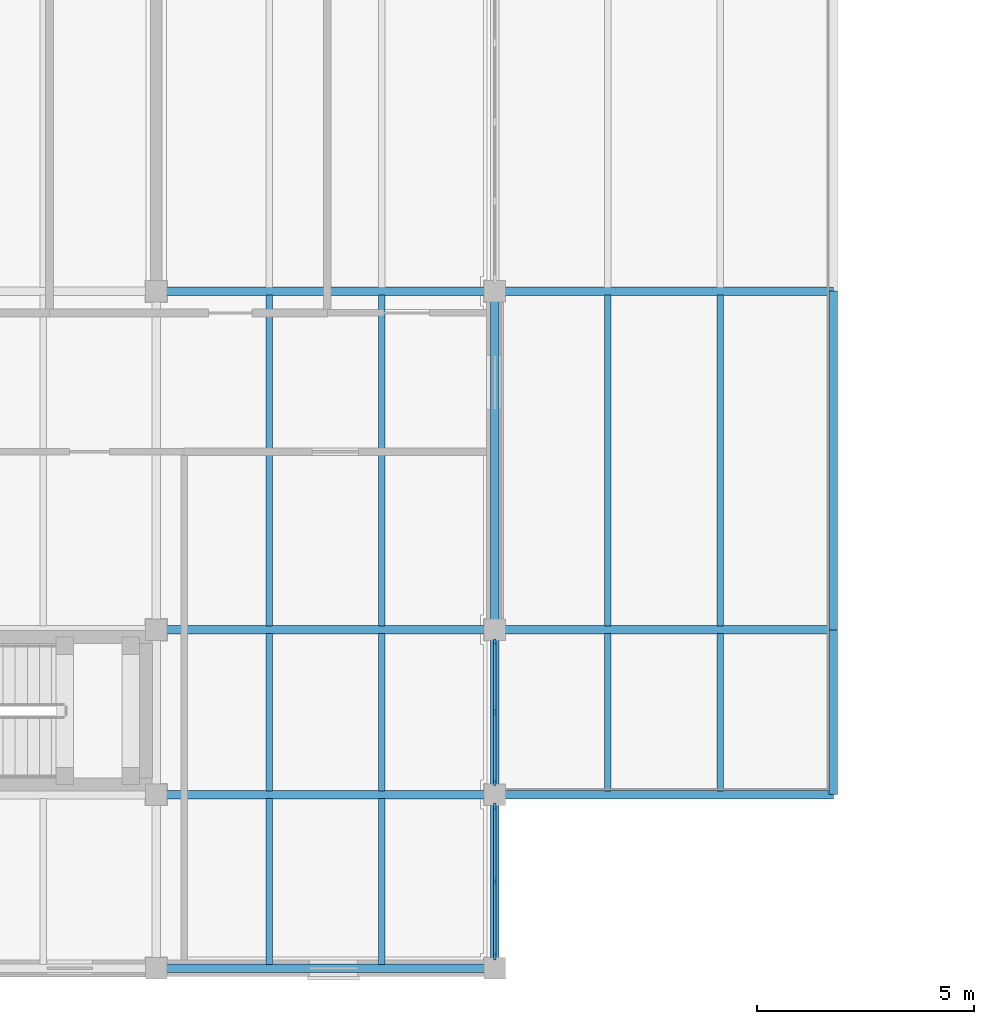
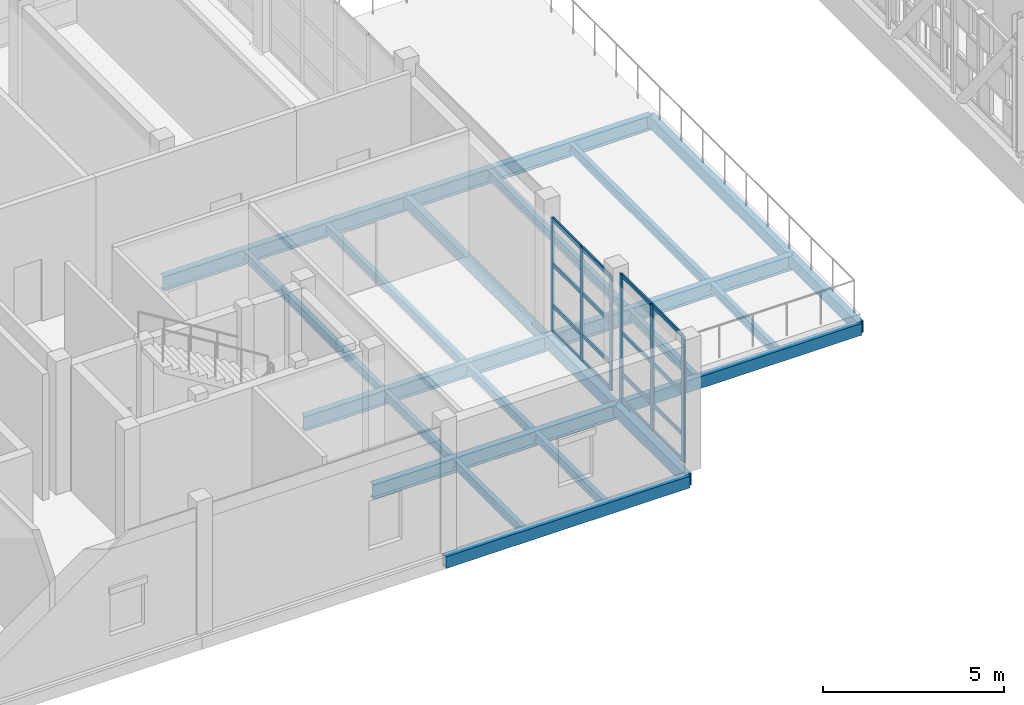
# One storey, part 9 of 89: 22 beams, 22 members, 2 elements without a shape of their own.
"""IFC4 building model written with IfcOpenShell, lengths in metres."""

from ifc_helpers import new_model, si_unit, direction, frame, origin, origin_2d, place, context, subcontext, project, spatial, rectangle, hollow_rectangle, i_section, extrude, material, layer, layer_set, material_profile, profile_set, type_object, element, aggregate, save


model = new_model("IFC4")

# Units and contexts
model_context = context("Model", 3, precision=1e-05, world=origin(), true_north=direction((0.0, 1.0)))
body_context = subcontext(model_context, "Body", "Model", "MODEL_VIEW")
ifc_project = project(units=[si_unit("LENGTHUNIT", "METRE"), si_unit("AREAUNIT", "SQUARE_METRE"), si_unit("VOLUMEUNIT", "CUBIC_METRE"), si_unit("PLANEANGLEUNIT", "RADIAN"), si_unit("MASSUNIT", "GRAM", prefix="KILO")], contexts=[model_context])

# Site, building, storey
site_placement = place(None, origin())
site = spatial("IfcSite", under=ifc_project, at=site_placement, CompositionType="ELEMENT")
building_placement = place(site_placement, origin())
building = spatial("IfcBuilding", under=site, at=building_placement, Name="Celorna Specialist Clinic", CompositionType="ELEMENT")
storey_placement = place(building_placement, frame((0.0, 0.0, 14.10009765625)))
storey = spatial("IfcBuildingStorey", under=building, at=storey_placement, Name="L03", CompositionType="ELEMENT", Elevation=14.10009765625)

# Beams
ifc_material_1 = material(Name="Steel S355", Category="steel")
ifc_material_profile_1 = material_profile(ifc_material_1, i_section(OverallWidth=0.199951171875, OverallDepth=0.5, WebThickness=0.01025390625, FlangeThickness=0.01611328125, at=origin_2d()), Name="IPE 500")
ifc_profile_set_1 = profile_set([ifc_material_profile_1], Name="Steel S355")
beam_type_1 = type_object("IfcBeamType", Name="BM-08", PredefinedType="BEAM", material=ifc_profile_set_1)
for number, where, z_axis, x_axis, name in (
    (1, (31.199951171875, 4.0, -0.510009765625), (1.0, 0.0, 0.0), (0.0, 1.0, 0.0), "Primary girder BM-08 #1834"),
    (2, (31.199951171875, 7.800048828125, -0.510009765625), (1.0, 0.0, 0.0), (0.0, 1.0, 0.0), "Primary girder BM-08 #1839"),
    (3, (31.199951171875, 15.60009765625, -0.510009765625), (1.0, 0.0, 0.0), (0.0, 1.0, 0.0), "Primary girder BM-08 #1844"),
    (4, (39.0, 7.800048828125, -0.510009765625), (1.0, 0.0, 0.0), (0.0, 1.0, 0.0), "Primary girder BM-08 #2375"),
    (5, (39.0, 15.60009765625, -0.510009765625), (1.0, 0.0, 0.0), (0.0, 1.0, 0.0), "Primary girder BM-08 #2376"),
):
    element("IfcBeam", number, at=place(storey_placement, frame(where, z_axis=z_axis, x_axis=x_axis)), inside=storey, type_object=beam_type_1, Name=name, PredefinedType="BEAM", context=body_context, shape_type="SweptSolid", body=[
        extrude(i_section(OverallWidth=0.199951171875, OverallDepth=0.5, WebThickness=0.01025390625, FlangeThickness=0.01611328125, at=origin_2d()), origin(), (0.0, 0.0, 1.0), 7.800048828125),
    ])
ifc_material_profile_2 = material_profile(ifc_material_1, i_section(OverallWidth=0.14990234375, OverallDepth=0.300048828125, WebThickness=0.007080078125, FlangeThickness=0.0107421875, at=origin_2d()), Name="IPE 300")
ifc_profile_set_2 = profile_set([ifc_material_profile_2], Name="Steel S355")
beam_type_2 = type_object("IfcBeamType", Name="BM-13", PredefinedType="JOIST", material=ifc_profile_set_2)
for number, where, z_axis, x_axis, name in (
    (6, (33.800048828125, 0.087890625, -0.41015625), (0.0, 1.0, 0.0), (-1.0, 0.0, 0.0), "Secondary floor joist BM-13 #1920"),
    (7, (36.39990234375, 0.087890625, -0.41015625), (0.0, 1.0, 0.0), (-1.0, 0.0, 0.0), "Secondary floor joist BM-13 #1921"),
):
    element("IfcBeam", number, at=place(storey_placement, frame(where, z_axis=z_axis, x_axis=x_axis)), inside=storey, type_object=beam_type_2, Name=name, PredefinedType="JOIST", context=body_context, shape_type="SweptSolid", body=[
        extrude(i_section(OverallWidth=0.14990234375, OverallDepth=0.300048828125, WebThickness=0.007080078125, FlangeThickness=0.0107421875, at=origin_2d()), origin(), (0.0, 0.0, 1.0), 3.82421875),
    ])
for number, where, z_axis, x_axis, name in (
    (8, (33.800048828125, 4.087890625, -0.41015625), (0.0, 1.0, 0.0), (-1.0, 0.0, 0.0), "Secondary floor joist BM-13 #1922"),
    (9, (36.39990234375, 4.087890625, -0.41015625), (0.0, 1.0, 0.0), (-1.0, 0.0, 0.0), "Secondary floor joist BM-13 #1923"),
):
    element("IfcBeam", number, at=place(storey_placement, frame(where, z_axis=z_axis, x_axis=x_axis)), inside=storey, type_object=beam_type_2, Name=name, PredefinedType="JOIST", context=body_context, shape_type="SweptSolid", body=[
        extrude(i_section(OverallWidth=0.14990234375, OverallDepth=0.300048828125, WebThickness=0.007080078125, FlangeThickness=0.0107421875, at=origin_2d()), origin(), (0.0, 0.0, 1.0), 3.6240234375),
    ])
for number, where, z_axis, x_axis, name in (
    (10, (33.800048828125, 7.887939453125, -0.41015625), (0.0, 1.0, 0.0), (-1.0, 0.0, 0.0), "Secondary floor joist BM-13 #1924"),
    (11, (36.39990234375, 7.887939453125, -0.41015625), (0.0, 1.0, 0.0), (-1.0, 0.0, 0.0), "Secondary floor joist BM-13 #1925"),
):
    element("IfcBeam", number, at=place(storey_placement, frame(where, z_axis=z_axis, x_axis=x_axis)), inside=storey, type_object=beam_type_2, Name=name, PredefinedType="JOIST", context=body_context, shape_type="SweptSolid", body=[
        extrude(i_section(OverallWidth=0.14990234375, OverallDepth=0.300048828125, WebThickness=0.007080078125, FlangeThickness=0.0107421875, at=origin_2d()), origin(), (0.0, 0.0, 1.0), 7.6240234375),
    ])
for number, where, z_axis, x_axis, name in (
    (12, (41.60009765625, 4.087890625, -0.41015625), (0.0, 1.0, 0.0), (-1.0, 0.0, 0.0), "Secondary floor joist BM-13 #2383"),
    (13, (44.199951171875, 4.087890625, -0.41015625), (0.0, 1.0, 0.0), (-1.0, 0.0, 0.0), "Secondary floor joist BM-13 #2384"),
):
    element("IfcBeam", number, at=place(storey_placement, frame(where, z_axis=z_axis, x_axis=x_axis)), inside=storey, type_object=beam_type_2, Name=name, PredefinedType="JOIST", context=body_context, shape_type="SweptSolid", body=[
        extrude(i_section(OverallWidth=0.14990234375, OverallDepth=0.300048828125, WebThickness=0.007080078125, FlangeThickness=0.0107421875, at=origin_2d()), origin(), (0.0, 0.0, 1.0), 3.6240234375),
    ])
for number, where, z_axis, x_axis, name in (
    (14, (41.60009765625, 7.887939453125, -0.41015625), (0.0, 1.0, 0.0), (-1.0, 0.0, 0.0), "Secondary floor joist BM-13 #2385"),
    (15, (44.199951171875, 7.887939453125, -0.41015625), (0.0, 1.0, 0.0), (-1.0, 0.0, 0.0), "Secondary floor joist BM-13 #2386"),
):
    element("IfcBeam", number, at=place(storey_placement, frame(where, z_axis=z_axis, x_axis=x_axis)), inside=storey, type_object=beam_type_2, Name=name, PredefinedType="JOIST", context=body_context, shape_type="SweptSolid", body=[
        extrude(i_section(OverallWidth=0.14990234375, OverallDepth=0.300048828125, WebThickness=0.007080078125, FlangeThickness=0.0107421875, at=origin_2d()), origin(), (0.0, 0.0, 1.0), 7.6240234375),
    ])
ifc_material_profile_3 = material_profile(ifc_material_1, hollow_rectangle(XDim=0.199951171875, YDim=0.39990234375, WallThickness=0.011962890625, at=origin_2d()), Name="RHS 200x400x12")
ifc_profile_set_3 = profile_set([ifc_material_profile_3], Name="Steel S355")
beam_type_3 = type_object("IfcBeamType", Name="BM-15", PredefinedType="SPANDREL", material=ifc_profile_set_3)
beam_1_placement = place(storey_placement, frame((31.199951171875, 0.0, -0.460205078125), z_axis=(1.0, 0.0, 0.0), x_axis=(0.0, 1.0, 0.0)))
element("IfcBeam", 16, at=beam_1_placement, inside=storey, type_object=beam_type_3, Name="Spandrel beam BM-15 #1829", PredefinedType="SPANDREL", context=body_context, shape_type="SweptSolid", body=[
    extrude(hollow_rectangle(XDim=0.199951171875, YDim=0.39990234375, WallThickness=0.011962890625, at=origin_2d()), origin(), (0.0, 0.0, 1.0), 7.800048828125),
])
beam_2_placement = place(storey_placement, frame((39.0, 0.0, -0.460205078125), z_axis=(0.0, 1.0, 0.0), x_axis=(-1.0, 0.0, 0.0)))
element("IfcBeam", 17, at=beam_2_placement, inside=storey, type_object=beam_type_3, Name="Spandrel beam BM-15 #1880", PredefinedType="SPANDREL", context=body_context, shape_type="SweptSolid", body=[
    extrude(hollow_rectangle(XDim=0.199951171875, YDim=0.39990234375, WallThickness=0.011962890625, at=origin_2d()), origin(), (0.0, 0.0, 1.0), 4.0),
])
beam_3_placement = place(storey_placement, frame((39.0, 4.0, -0.460205078125), z_axis=(0.0, 1.0, 0.0), x_axis=(-1.0, 0.0, 0.0)))
element("IfcBeam", 18, at=beam_3_placement, inside=storey, type_object=beam_type_3, Name="Spandrel beam BM-15 #1881", PredefinedType="SPANDREL", context=body_context, shape_type="SweptSolid", body=[
    extrude(hollow_rectangle(XDim=0.199951171875, YDim=0.39990234375, WallThickness=0.011962890625, at=origin_2d()), origin(), (0.0, 0.0, 1.0), 3.800048828125),
])
for number, where, z_axis, x_axis, name in (
    (19, (39.0, 7.800048828125, -0.460205078125), (0.0, 1.0, 0.0), (-1.0, 0.0, 0.0), "Spandrel beam BM-15 #1882"),
    (20, (39.0, 4.0, -0.460205078125), (1.0, 0.0, 0.0), (0.0, 1.0, 0.0), "Spandrel beam BM-15 #2374"),
):
    element("IfcBeam", number, at=place(storey_placement, frame(where, z_axis=z_axis, x_axis=x_axis)), inside=storey, type_object=beam_type_3, Name=name, PredefinedType="SPANDREL", context=body_context, shape_type="SweptSolid", body=[
        extrude(hollow_rectangle(XDim=0.199951171875, YDim=0.39990234375, WallThickness=0.011962890625, at=origin_2d()), origin(), (0.0, 0.0, 1.0), 7.800048828125),
    ])
beam_4_placement = place(storey_placement, frame((46.800048828125, 4.0, -0.460205078125), z_axis=(0.0, 1.0, 0.0), x_axis=(-1.0, 0.0, 0.0)))
element("IfcBeam", 21, at=beam_4_placement, inside=storey, type_object=beam_type_3, Name="Spandrel beam BM-15 #2379", PredefinedType="SPANDREL", context=body_context, shape_type="SweptSolid", body=[
    extrude(hollow_rectangle(XDim=0.199951171875, YDim=0.39990234375, WallThickness=0.011962890625, at=origin_2d()), origin(), (0.0, 0.0, 1.0), 3.800048828125),
])
beam_5_placement = place(storey_placement, frame((46.800048828125, 7.800048828125, -0.460205078125), z_axis=(0.0, 1.0, 0.0), x_axis=(-1.0, 0.0, 0.0)))
element("IfcBeam", 22, at=beam_5_placement, inside=storey, type_object=beam_type_3, Name="Spandrel beam BM-15 #2380", PredefinedType="SPANDREL", context=body_context, shape_type="SweptSolid", body=[
    extrude(hollow_rectangle(XDim=0.199951171875, YDim=0.39990234375, WallThickness=0.011962890625, at=origin_2d()), origin(), (0.0, 0.0, 1.0), 7.800048828125),
])

# Curtain wall, members
ifc_material_2 = material(Name="Thermally broken aluminium and solar-control glass curtain wall", Category="aluminium")
ifc_layer_1 = layer(ifc_material_2, 0.159912109375, Name="Thermally broken aluminium and solar-control glass curtain wall")
ifc_layer_set_1 = layer_set([ifc_layer_1], Name="Thermally broken aluminium and solar-control glass curtain wall")
curtain_wall_type_1 = type_object("IfcCurtainWallType", Name="CW-98", PredefinedType="NOTDEFINED", material=ifc_layer_set_1)
curtain_wall_1_placement = place(storey_placement, origin())
curtain_wall_1 = element("IfcCurtainWall", 23, at=curtain_wall_1_placement, inside=storey, type_object=curtain_wall_type_1, Name="Curtain wall CW-98 #175", PredefinedType="NOTDEFINED")
ifc_material_3 = material(Name="Anodized aluminium mullion", Category="aluminium")
ifc_material_profile_4 = material_profile(ifc_material_3, rectangle(XDim=0.050048828125, YDim=0.179931640625, at=origin_2d()), Name="ALU MULLION 50x180")
ifc_profile_set_4 = profile_set([ifc_material_profile_4], Name="Anodized aluminium mullion")
member_type_1 = type_object("IfcMemberType", Name="ML-02", PredefinedType="MULLION", material=ifc_profile_set_4)
member_1_placement = place(storey_placement, frame((39.0, 3.720947265625, 0.0), z_axis=(0.0, 0.0, 1.0), x_axis=(1.0, 0.0, 0.0)))
member_1 = element("IfcMember", 24, at=member_1_placement, type_object=member_type_1, Name="CW-98 mullion 1", PredefinedType="MULLION", context=body_context, shape_type="SweptSolid", body=[
    extrude(rectangle(XDim=0.050048828125, YDim=0.179931640625, at=origin_2d()), origin(), (0.0, 0.0, 1.0), 4.260009765625),
])
member_2_placement = place(storey_placement, frame((39.0, 2.0, 0.0), z_axis=(0.0, 0.0, 1.0), x_axis=(1.0, 0.0, 0.0)))
member_2 = element("IfcMember", 25, at=member_2_placement, type_object=member_type_1, Name="CW-98 mullion 2", PredefinedType="MULLION", context=body_context, shape_type="SweptSolid", body=[
    extrude(rectangle(XDim=0.050048828125, YDim=0.179931640625, at=origin_2d()), origin(), (0.0, 0.0, 1.0), 4.260009765625),
])
member_3_placement = place(storey_placement, frame((39.0, 0.279052734375, 0.0), z_axis=(0.0, 0.0, 1.0), x_axis=(1.0, 0.0, 0.0)))
member_3 = element("IfcMember", 26, at=member_3_placement, type_object=member_type_1, Name="CW-98 mullion 3", PredefinedType="MULLION", context=body_context, shape_type="SweptSolid", body=[
    extrude(rectangle(XDim=0.050048828125, YDim=0.179931640625, at=origin_2d()), origin(), (0.0, 0.0, 1.0), 4.260009765625),
])

ifc_layer_2 = layer(ifc_material_2, 0.159912109375, Name="Thermally broken aluminium and solar-control glass curtain wall")
ifc_layer_set_2 = layer_set([ifc_layer_2], Name="Thermally broken aluminium and solar-control glass curtain wall")
curtain_wall_type_2 = type_object("IfcCurtainWallType", Name="CW-99", PredefinedType="NOTDEFINED", material=ifc_layer_set_2)
curtain_wall_2_placement = place(storey_placement, origin())
curtain_wall_2 = element("IfcCurtainWall", 27, at=curtain_wall_2_placement, inside=storey, type_object=curtain_wall_type_2, Name="Curtain wall CW-99 #176", PredefinedType="NOTDEFINED")
ifc_material_profile_5 = material_profile(ifc_material_3, rectangle(XDim=0.050048828125, YDim=0.139892578125, at=origin_2d()), Name="ALU MULLION 50x140")
ifc_profile_set_5 = profile_set([ifc_material_profile_5], Name="Anodized aluminium mullion")
member_type_2 = type_object("IfcMemberType", Name="ML-03", PredefinedType="MULLION", material=ifc_profile_set_5)
member_4_placement = place(storey_placement, frame((39.0, 7.52099609375, 0.0), z_axis=(0.0, 0.0, 1.0), x_axis=(1.0, 0.0, 0.0)))
member_4 = element("IfcMember", 28, at=member_4_placement, type_object=member_type_2, Name="CW-99 mullion 1", PredefinedType="MULLION", context=body_context, shape_type="SweptSolid", body=[
    extrude(rectangle(XDim=0.050048828125, YDim=0.139892578125, at=origin_2d()), origin(), (0.0, 0.0, 1.0), 3.83984375),
])
member_5_placement = place(storey_placement, frame((39.0, 5.89990234375, 0.0), z_axis=(0.0, 0.0, 1.0), x_axis=(1.0, 0.0, 0.0)))
member_5 = element("IfcMember", 29, at=member_5_placement, type_object=member_type_2, Name="CW-99 mullion 2", PredefinedType="MULLION", context=body_context, shape_type="SweptSolid", body=[
    extrude(rectangle(XDim=0.050048828125, YDim=0.139892578125, at=origin_2d()), origin(), (0.0, 0.0, 1.0), 3.83984375),
])
member_6_placement = place(storey_placement, frame((39.0, 4.279052734375, 0.0), z_axis=(0.0, 0.0, 1.0), x_axis=(1.0, 0.0, 0.0)))
member_6 = element("IfcMember", 30, at=member_6_placement, type_object=member_type_2, Name="CW-99 mullion 3", PredefinedType="MULLION", context=body_context, shape_type="SweptSolid", body=[
    extrude(rectangle(XDim=0.050048828125, YDim=0.139892578125, at=origin_2d()), origin(), (0.0, 0.0, 1.0), 3.83984375),
])

# Member
ifc_material_4 = material(Name="Anodized aluminium transom", Category="aluminium")
ifc_material_profile_6 = material_profile(ifc_material_4, rectangle(XDim=0.050048828125, YDim=0.1298828125, at=origin_2d()), Name="ALU TRANSOM 50x130")
ifc_profile_set_6 = profile_set([ifc_material_profile_6], Name="Anodized aluminium transom")
member_type_3 = type_object("IfcMemberType", Name="TR-01", PredefinedType="USERDEFINED", material=ifc_profile_set_6)
member_7_placement = place(storey_placement, frame((39.0, 3.696044921875, 0.02490234375), z_axis=(0.0, -1.0, 0.0), x_axis=(1.0, 0.0, 0.0)))
member_7 = element("IfcMember", 31, at=member_7_placement, type_object=member_type_3, Name="CW-98 transom 1.1", ObjectType="TRANSOM", PredefinedType="USERDEFINED", context=body_context, shape_type="SweptSolid", body=[
    extrude(rectangle(XDim=0.050048828125, YDim=0.1298828125, at=origin_2d()), origin(), (0.0, 0.0, 1.0), 1.671142578125),
])

member_8_placement = place(storey_placement, frame((39.0, 3.696044921875, 0.89990234375), z_axis=(0.0, -1.0, 0.0), x_axis=(1.0, 0.0, 0.0)))
member_8 = element("IfcMember", 32, at=member_8_placement, type_object=member_type_3, Name="CW-98 transom 1.2", ObjectType="TRANSOM", PredefinedType="USERDEFINED", context=body_context, shape_type="SweptSolid", body=[
    extrude(rectangle(XDim=0.050048828125, YDim=0.1298828125, at=origin_2d()), origin(), (0.0, 0.0, 1.0), 1.671142578125),
])

member_9_placement = place(storey_placement, frame((39.0, 3.696044921875, 2.2998046875), z_axis=(0.0, -1.0, 0.0), x_axis=(1.0, 0.0, 0.0)))
member_9 = element("IfcMember", 33, at=member_9_placement, type_object=member_type_3, Name="CW-98 transom 1.3", ObjectType="TRANSOM", PredefinedType="USERDEFINED", context=body_context, shape_type="SweptSolid", body=[
    extrude(rectangle(XDim=0.050048828125, YDim=0.1298828125, at=origin_2d()), origin(), (0.0, 0.0, 1.0), 1.671142578125),
])

member_10_placement = place(storey_placement, frame((39.0, 3.696044921875, 4.23486328125), z_axis=(0.0, -1.0, 0.0), x_axis=(1.0, 0.0, 0.0)))
member_10 = element("IfcMember", 34, at=member_10_placement, type_object=member_type_3, Name="CW-98 transom 1.4", ObjectType="TRANSOM", PredefinedType="USERDEFINED", context=body_context, shape_type="SweptSolid", body=[
    extrude(rectangle(XDim=0.050048828125, YDim=0.1298828125, at=origin_2d()), origin(), (0.0, 0.0, 1.0), 1.671142578125),
])

member_11_placement = place(storey_placement, frame((39.0, 1.97509765625, 0.02490234375), z_axis=(0.0, -1.0, 0.0), x_axis=(1.0, 0.0, 0.0)))
member_11 = element("IfcMember", 35, at=member_11_placement, type_object=member_type_3, Name="CW-98 transom 2.1", ObjectType="TRANSOM", PredefinedType="USERDEFINED", context=body_context, shape_type="SweptSolid", body=[
    extrude(rectangle(XDim=0.050048828125, YDim=0.1298828125, at=origin_2d()), origin(), (0.0, 0.0, 1.0), 1.671142578125),
])

member_12_placement = place(storey_placement, frame((39.0, 1.97509765625, 0.89990234375), z_axis=(0.0, -1.0, 0.0), x_axis=(1.0, 0.0, 0.0)))
member_12 = element("IfcMember", 36, at=member_12_placement, type_object=member_type_3, Name="CW-98 transom 2.2", ObjectType="TRANSOM", PredefinedType="USERDEFINED", context=body_context, shape_type="SweptSolid", body=[
    extrude(rectangle(XDim=0.050048828125, YDim=0.1298828125, at=origin_2d()), origin(), (0.0, 0.0, 1.0), 1.671142578125),
])

member_13_placement = place(storey_placement, frame((39.0, 1.97509765625, 2.2998046875), z_axis=(0.0, -1.0, 0.0), x_axis=(1.0, 0.0, 0.0)))
member_13 = element("IfcMember", 37, at=member_13_placement, type_object=member_type_3, Name="CW-98 transom 2.3", ObjectType="TRANSOM", PredefinedType="USERDEFINED", context=body_context, shape_type="SweptSolid", body=[
    extrude(rectangle(XDim=0.050048828125, YDim=0.1298828125, at=origin_2d()), origin(), (0.0, 0.0, 1.0), 1.671142578125),
])

member_14_placement = place(storey_placement, frame((39.0, 1.97509765625, 4.23486328125), z_axis=(0.0, -1.0, 0.0), x_axis=(1.0, 0.0, 0.0)))
member_14 = element("IfcMember", 38, at=member_14_placement, type_object=member_type_3, Name="CW-98 transom 2.4", ObjectType="TRANSOM", PredefinedType="USERDEFINED", context=body_context, shape_type="SweptSolid", body=[
    extrude(rectangle(XDim=0.050048828125, YDim=0.1298828125, at=origin_2d()), origin(), (0.0, 0.0, 1.0), 1.671142578125),
])

aggregate(curtain_wall_1, [member_1, member_2, member_3, member_7, member_8, member_9, member_10, member_11, member_12, member_13, member_14])

ifc_material_profile_7 = material_profile(ifc_material_4, rectangle(XDim=0.050048828125, YDim=0.14990234375, at=origin_2d()), Name="ALU TRANSOM 50x150")
ifc_profile_set_7 = profile_set([ifc_material_profile_7], Name="Anodized aluminium transom")
member_type_4 = type_object("IfcMemberType", Name="TR-02", PredefinedType="USERDEFINED", material=ifc_profile_set_7)
member_15_placement = place(storey_placement, frame((39.0, 7.49609375, 0.02490234375), z_axis=(0.0, -1.0, 0.0), x_axis=(1.0, 0.0, 0.0)))
member_15 = element("IfcMember", 39, at=member_15_placement, type_object=member_type_4, Name="CW-99 transom 1.1", ObjectType="TRANSOM", PredefinedType="USERDEFINED", context=body_context, shape_type="SweptSolid", body=[
    extrude(rectangle(XDim=0.050048828125, YDim=0.14990234375, at=origin_2d()), origin(), (0.0, 0.0, 1.0), 1.571044921875),
])

member_16_placement = place(storey_placement, frame((39.0, 7.49609375, 0.89990234375), z_axis=(0.0, -1.0, 0.0), x_axis=(1.0, 0.0, 0.0)))
member_16 = element("IfcMember", 40, at=member_16_placement, type_object=member_type_4, Name="CW-99 transom 1.2", ObjectType="TRANSOM", PredefinedType="USERDEFINED", context=body_context, shape_type="SweptSolid", body=[
    extrude(rectangle(XDim=0.050048828125, YDim=0.14990234375, at=origin_2d()), origin(), (0.0, 0.0, 1.0), 1.571044921875),
])

member_17_placement = place(storey_placement, frame((39.0, 7.49609375, 2.2998046875), z_axis=(0.0, -1.0, 0.0), x_axis=(1.0, 0.0, 0.0)))
member_17 = element("IfcMember", 41, at=member_17_placement, type_object=member_type_4, Name="CW-99 transom 1.3", ObjectType="TRANSOM", PredefinedType="USERDEFINED", context=body_context, shape_type="SweptSolid", body=[
    extrude(rectangle(XDim=0.050048828125, YDim=0.14990234375, at=origin_2d()), origin(), (0.0, 0.0, 1.0), 1.571044921875),
])

member_18_placement = place(storey_placement, frame((39.0, 7.49609375, 3.81494140625), z_axis=(0.0, -1.0, 0.0), x_axis=(1.0, 0.0, 0.0)))
member_18 = element("IfcMember", 42, at=member_18_placement, type_object=member_type_4, Name="CW-99 transom 1.4", ObjectType="TRANSOM", PredefinedType="USERDEFINED", context=body_context, shape_type="SweptSolid", body=[
    extrude(rectangle(XDim=0.050048828125, YDim=0.14990234375, at=origin_2d()), origin(), (0.0, 0.0, 1.0), 1.571044921875),
])

member_19_placement = place(storey_placement, frame((39.0, 5.875, 0.02490234375), z_axis=(0.0, -1.0, 0.0), x_axis=(1.0, 0.0, 0.0)))
member_19 = element("IfcMember", 43, at=member_19_placement, type_object=member_type_4, Name="CW-99 transom 2.1", ObjectType="TRANSOM", PredefinedType="USERDEFINED", context=body_context, shape_type="SweptSolid", body=[
    extrude(rectangle(XDim=0.050048828125, YDim=0.14990234375, at=origin_2d()), origin(), (0.0, 0.0, 1.0), 1.571044921875),
])

member_20_placement = place(storey_placement, frame((39.0, 5.875, 0.89990234375), z_axis=(0.0, -1.0, 0.0), x_axis=(1.0, 0.0, 0.0)))
member_20 = element("IfcMember", 44, at=member_20_placement, type_object=member_type_4, Name="CW-99 transom 2.2", ObjectType="TRANSOM", PredefinedType="USERDEFINED", context=body_context, shape_type="SweptSolid", body=[
    extrude(rectangle(XDim=0.050048828125, YDim=0.14990234375, at=origin_2d()), origin(), (0.0, 0.0, 1.0), 1.571044921875),
])

member_21_placement = place(storey_placement, frame((39.0, 5.875, 2.2998046875), z_axis=(0.0, -1.0, 0.0), x_axis=(1.0, 0.0, 0.0)))
member_21 = element("IfcMember", 45, at=member_21_placement, type_object=member_type_4, Name="CW-99 transom 2.3", ObjectType="TRANSOM", PredefinedType="USERDEFINED", context=body_context, shape_type="SweptSolid", body=[
    extrude(rectangle(XDim=0.050048828125, YDim=0.14990234375, at=origin_2d()), origin(), (0.0, 0.0, 1.0), 1.571044921875),
])

member_22_placement = place(storey_placement, frame((39.0, 5.875, 3.81494140625), z_axis=(0.0, -1.0, 0.0), x_axis=(1.0, 0.0, 0.0)))
member_22 = element("IfcMember", 46, at=member_22_placement, type_object=member_type_4, Name="CW-99 transom 2.4", ObjectType="TRANSOM", PredefinedType="USERDEFINED", context=body_context, shape_type="SweptSolid", body=[
    extrude(rectangle(XDim=0.050048828125, YDim=0.14990234375, at=origin_2d()), origin(), (0.0, 0.0, 1.0), 1.571044921875),
])

aggregate(curtain_wall_2, [member_4, member_5, member_6, member_15, member_16, member_17, member_18, member_19, member_20, member_21, member_22])

save(model, "model.ifc")
